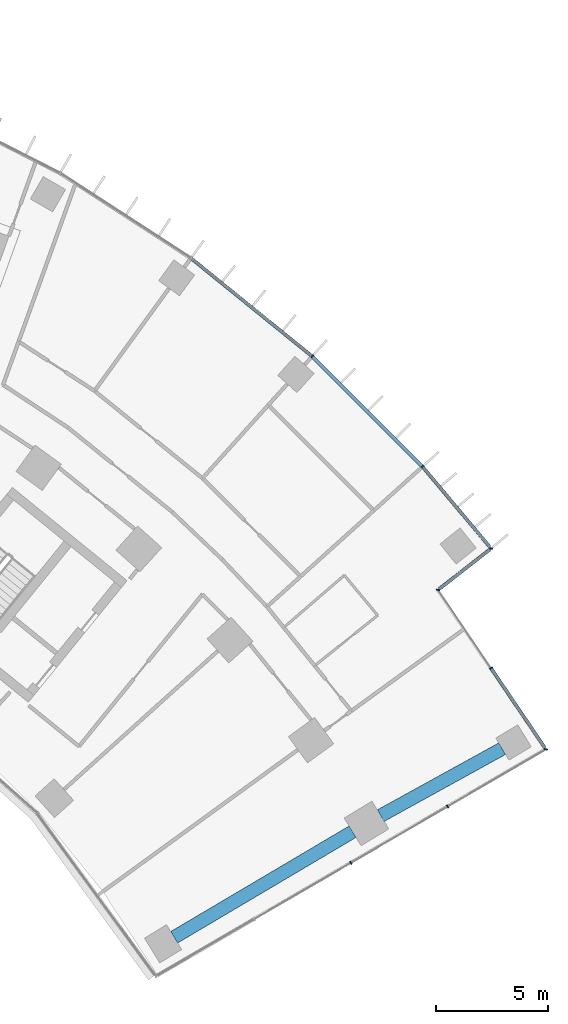
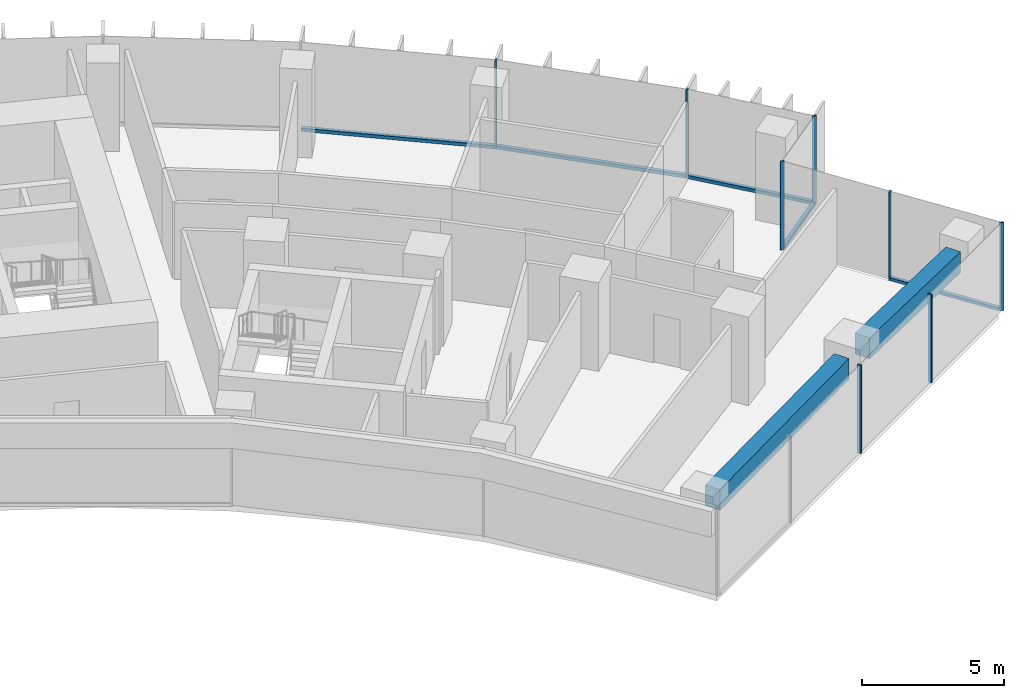
# One storey, part 10 of 22: 13 members, 2 beams, 4 elements without a shape of their own.
"""IFC4 building model written with IfcOpenShell, lengths in metres."""

from ifc_helpers import new_model, si_unit, direction, frame, origin, origin_2d, place, context, subcontext, project, spatial, rectangle, extrude, material, layer, layer_set, material_profile, profile_set, type_object, element, aggregate, save


model = new_model("IFC4")

# Units and contexts
model_context = context("Model", 3, precision=1e-05, world=origin(), true_north=direction((0.0, 1.0)))
body_context = subcontext(model_context, "Body", "Model", "MODEL_VIEW")
ifc_project = project(units=[si_unit("LENGTHUNIT", "METRE"), si_unit("AREAUNIT", "SQUARE_METRE"), si_unit("VOLUMEUNIT", "CUBIC_METRE"), si_unit("PLANEANGLEUNIT", "RADIAN"), si_unit("MASSUNIT", "GRAM", prefix="KILO")], contexts=[model_context])

# Site, building, storey
site_placement = place(None, origin())
site = spatial("IfcSite", under=ifc_project, at=site_placement, CompositionType="ELEMENT")
building_placement = place(site_placement, origin())
building = spatial("IfcBuilding", under=site, at=building_placement, Name="Stone Belt Terrace Tower", CompositionType="ELEMENT")
storey_placement = place(building_placement, frame((0.0, 0.0, 132.60009765625)))
storey = spatial("IfcBuildingStorey", under=building, at=storey_placement, Name="L32", CompositionType="ELEMENT", Elevation=132.60009765625)

# Curtain wall, members
ifc_material_1 = material(Name="Aluminium 6063-T6 anodised frame", Category="aluminium")
ifc_layer_1 = layer(ifc_material_1, 0.14990234375)
ifc_layer_set_1 = layer_set([ifc_layer_1], Name="CW-A unitised convex-face curtain wall")
curtain_wall_type_1 = type_object("IfcCurtainWallType", Name="CW-A unitised convex-face curtain wall", PredefinedType="NOTDEFINED", material=ifc_layer_set_1)
curtain_wall_1_placement = place(storey_placement, origin())
curtain_wall_1 = element("IfcCurtainWall", 1, at=curtain_wall_1_placement, inside=storey, type_object=curtain_wall_type_1, Name="CW-A convex face L32", PredefinedType="NOTDEFINED")
ifc_material_profile_1 = material_profile(ifc_material_1, rectangle(XDim=0.14990234375, YDim=0.06005859375, at=origin_2d()), Name="Aluminium 6063-T6 60x150")
ifc_profile_set_1 = profile_set([ifc_material_profile_1], Name="Aluminium 6063-T6 anodised frame")
member_type_1 = type_object("IfcMemberType", Name="CW-A mullion 60 x 150", PredefinedType="MULLION", material=ifc_profile_set_1)
member_1_placement = place(storey_placement, frame((52.539794921875, 40.89208984375, 0.0), z_axis=(0.0, 0.0, 1.0), x_axis=(-0.994464768622, 0.105070566623, 0.0)))
member_1 = element("IfcMember", 2, at=member_1_placement, type_object=member_type_1, Name="CW-A mullion 1", PredefinedType="MULLION", context=body_context, shape_type="SweptSolid", body=[
    extrude(rectangle(XDim=0.14990234375, YDim=0.06005859375, at=origin_2d()), origin(), (0.0, 0.0, 1.0), 3.7998046875),
])
member_2_placement = place(storey_placement, frame((49.474609375, 44.5478515625, 0.0), z_axis=(0.0, 0.0, 1.0), x_axis=(-0.737400080522, -0.675456231925, 0.0)))
member_2 = element("IfcMember", 3, at=member_2_placement, type_object=member_type_1, Name="CW-A mullion 2", PredefinedType="MULLION", context=body_context, shape_type="SweptSolid", body=[
    extrude(rectangle(XDim=0.14990234375, YDim=0.06005859375, at=origin_2d()), origin(), (0.0, 0.0, 1.0), 3.7998046875),
])
member_3_placement = place(storey_placement, frame((44.54736328125, 49.474853515625, 0.0), z_axis=(0.0, 0.0, 1.0), x_axis=(-0.669130606359, -0.743144825477, 0.0)))
member_3 = element("IfcMember", 4, at=member_3_placement, type_object=member_type_1, Name="CW-A mullion 3", PredefinedType="MULLION", context=body_context, shape_type="SweptSolid", body=[
    extrude(rectangle(XDim=0.14990234375, YDim=0.06005859375, at=origin_2d()), origin(), (0.0, 0.0, 1.0), 3.7998046875),
])
ifc_material_profile_2 = material_profile(ifc_material_1, rectangle(XDim=0.14990234375, YDim=0.139892578125, at=origin_2d()), Name="Aluminium 6063-T6 150x140")
ifc_profile_set_2 = profile_set([ifc_material_profile_2], Name="Aluminium 6063-T6 anodised frame")
member_type_2 = type_object("IfcMemberType", Name="CW-A transom 140 x 150", PredefinedType="USERDEFINED", material=ifc_profile_set_2)
member_4_placement = place(storey_placement, frame((52.49169921875, 40.949462890625, 0.06982421875), z_axis=(-0.642504178028, 0.766282181195, 0.0), x_axis=(-0.766282181195, -0.642504178028, 0.0)))
member_4 = element("IfcMember", 5, at=member_4_placement, type_object=member_type_2, Name="CW-A transom 1.1", ObjectType="TRANSOM", PredefinedType="USERDEFINED", context=body_context, shape_type="SweptSolid", body=[
    extrude(rectangle(XDim=0.14990234375, YDim=0.139892578125, at=origin_2d()), origin(), (0.0, 0.0, 1.0), 4.662841796875),
])
member_5_placement = place(storey_placement, frame((49.450927734375, 44.5712890625, 0.06982421875), z_axis=(-0.707106781187, 0.707106781187, 0.0), x_axis=(-0.707106781187, -0.707106781187, 0.0)))
member_5 = element("IfcMember", 6, at=member_5_placement, type_object=member_type_2, Name="CW-A transom 2.1", ObjectType="TRANSOM", PredefinedType="USERDEFINED", context=body_context, shape_type="SweptSolid", body=[
    extrude(rectangle(XDim=0.14990234375, YDim=0.139892578125, at=origin_2d()), origin(), (0.0, 0.0, 1.0), 6.90087890625),
])
member_6_placement = place(storey_placement, frame((44.52099609375, 49.496337890625, 0.06982421875), z_axis=(-0.777141048626, 0.629326457842, 0.0), x_axis=(-0.629326457842, -0.777141048626, 0.0)))
member_6 = element("IfcMember", 7, at=member_6_placement, type_object=member_type_2, Name="CW-A transom 3.1", ObjectType="TRANSOM", PredefinedType="USERDEFINED", context=body_context, shape_type="SweptSolid", body=[
    extrude(rectangle(XDim=0.14990234375, YDim=0.139892578125, at=origin_2d()), origin(), (0.0, 0.0, 1.0), 6.900634765625),
])
aggregate(curtain_wall_1, [member_1, member_2, member_3, member_4, member_5, member_6])

ifc_layer_2 = layer(ifc_material_1, 0.14990234375)
ifc_layer_set_2 = layer_set([ifc_layer_2], Name="CW-C stick curtain wall, horn ends and notches")
curtain_wall_type_2 = type_object("IfcCurtainWallType", Name="CW-C stick curtain wall, horn ends and notches", PredefinedType="NOTDEFINED", material=ifc_layer_set_2)
curtain_wall_2_placement = place(storey_placement, origin())
curtain_wall_2 = element("IfcCurtainWall", 8, at=curtain_wall_2_placement, inside=storey, type_object=curtain_wall_type_2, Name="CW-C end face L32", PredefinedType="NOTDEFINED")
ifc_material_profile_3 = material_profile(ifc_material_1, rectangle(XDim=0.14990234375, YDim=0.06005859375, at=origin_2d()), Name="Aluminium 6063-T6 60x150")
ifc_profile_set_3 = profile_set([ifc_material_profile_3], Name="Aluminium 6063-T6 anodised frame")
member_type_3 = type_object("IfcMemberType", Name="CW-C mullion 60 x 150", PredefinedType="MULLION", material=ifc_profile_set_3)
member_7_placement = place(storey_placement, frame((46.2744140625, 26.85009765625, 0.0), z_axis=(0.0, 0.0, 1.0), x_axis=(-0.503080901861, 0.864239322284, 0.0)))
member_7 = element("IfcMember", 9, at=member_7_placement, type_object=member_type_3, Name="CW-C mullion 3", PredefinedType="MULLION", context=body_context, shape_type="SweptSolid", body=[
    extrude(rectangle(XDim=0.14990234375, YDim=0.06005859375, at=origin_2d()), origin(), (0.0, 0.0, 1.0), 3.7998046875),
])
member_8_placement = place(storey_placement, frame((50.595703125, 29.365478515625, 0.0), z_axis=(0.0, 0.0, 1.0), x_axis=(-0.503080901861, 0.864239322284, 0.0)))
member_8 = element("IfcMember", 10, at=member_8_placement, type_object=member_type_3, Name="CW-C mullion 4", PredefinedType="MULLION", context=body_context, shape_type="SweptSolid", body=[
    extrude(rectangle(XDim=0.14990234375, YDim=0.06005859375, at=origin_2d()), origin(), (0.0, 0.0, 1.0), 3.7998046875),
])
aggregate(curtain_wall_2, [member_7, member_8])

curtain_wall_3_placement = place(storey_placement, origin())
curtain_wall_3 = element("IfcCurtainWall", 11, at=curtain_wall_3_placement, inside=storey, type_object=curtain_wall_type_2, Name="CW-C notch face L32", PredefinedType="NOTDEFINED")
member_9_placement = place(storey_placement, frame((54.986328125, 31.921142578125, 0.0), z_axis=(0.0, 0.0, 1.0), x_axis=(-0.974926991266, 0.222524968715, 0.0)))
member_9 = element("IfcMember", 12, at=member_9_placement, type_object=member_type_3, Name="CW-C mullion 1", PredefinedType="MULLION", context=body_context, shape_type="SweptSolid", body=[
    extrude(rectangle(XDim=0.14990234375, YDim=0.06005859375, at=origin_2d()), origin(), (0.0, 0.0, 1.0), 3.7998046875),
])
member_10_placement = place(storey_placement, frame((52.53515625, 35.5439453125, 0.0), z_axis=(0.0, 0.0, 1.0), x_axis=(-0.828244257471, -0.560367245622, 0.0)))
member_10 = element("IfcMember", 13, at=member_10_placement, type_object=member_type_3, Name="CW-C mullion 2", PredefinedType="MULLION", context=body_context, shape_type="SweptSolid", body=[
    extrude(rectangle(XDim=0.14990234375, YDim=0.06005859375, at=origin_2d()), origin(), (0.0, 0.0, 1.0), 3.7998046875),
])

# Curtain wall, member
curtain_wall_4_placement = place(storey_placement, origin())
curtain_wall_4 = element("IfcCurtainWall", 14, at=curtain_wall_4_placement, inside=storey, type_object=curtain_wall_type_2, Name="CW-C notch face L32", PredefinedType="NOTDEFINED")
member_11_placement = place(storey_placement, frame((50.16845703125, 39.0419921875, 0.0), z_axis=(0.0, 0.0, 1.0), x_axis=(-0.987742281651, 0.156093513764, 0.0)))
member_11 = element("IfcMember", 15, at=member_11_placement, type_object=member_type_3, Name="CW-C mullion 1", PredefinedType="MULLION", context=body_context, shape_type="SweptSolid", body=[
    extrude(rectangle(XDim=0.14990234375, YDim=0.06005859375, at=origin_2d()), origin(), (0.0, 0.0, 1.0), 3.7998046875),
])

# Member
ifc_material_profile_4 = material_profile(ifc_material_1, rectangle(XDim=0.14990234375, YDim=0.1201171875, at=origin_2d()), Name="Aluminium 6063-T6 150x120")
ifc_profile_set_4 = profile_set([ifc_material_profile_4], Name="Aluminium 6063-T6 anodised frame")
member_type_4 = type_object("IfcMemberType", Name="CW-C transom 120 x 150", PredefinedType="USERDEFINED", material=ifc_profile_set_4)
member_12_placement = place(storey_placement, frame((54.944091796875, 31.983642578125, 0.059814453125), z_axis=(-0.560388995766, 0.828229541507, 0.0), x_axis=(-0.828229541507, -0.560388995766, 0.0)))
member_12 = element("IfcMember", 16, at=member_12_placement, type_object=member_type_4, Name="CW-C transom 1.1", ObjectType="TRANSOM", PredefinedType="USERDEFINED", context=body_context, shape_type="SweptSolid", body=[
    extrude(rectangle(XDim=0.14990234375, YDim=0.1201171875, at=origin_2d()), origin(), (0.0, 0.0, 1.0), 4.2685546875),
])

aggregate(curtain_wall_3, [member_9, member_10, member_12])

member_13_placement = place(storey_placement, frame((50.22607421875, 39.087158203125, 0.059814453125), z_axis=(0.788505618167, 0.615027552325, 0.0), x_axis=(-0.615027552325, 0.788505618167, 0.0)))
member_13 = element("IfcMember", 17, at=member_13_placement, type_object=member_type_4, Name="CW-C transom 1.1", ObjectType="TRANSOM", PredefinedType="USERDEFINED", context=body_context, shape_type="SweptSolid", body=[
    extrude(rectangle(XDim=0.14990234375, YDim=0.1201171875, at=origin_2d()), origin(), (0.0, 0.0, 1.0), 2.859619140625),
])

aggregate(curtain_wall_4, [member_11, member_13])

# Beams
ifc_material_2 = material(Name="Concrete B60", Category="concrete")
ifc_material_profile_5 = material_profile(ifc_material_2, rectangle(XDim=0.60009765625, YDim=0.89990234375, at=origin_2d()), Name="RC 600x900")
ifc_profile_set_5 = profile_set([ifc_material_profile_5], Name="Concrete B60")
beam_type = type_object("IfcBeamType", Name="Edge beam RC 600x900 B60", PredefinedType="SPANDREL", material=ifc_profile_set_5)
beam_1_placement = place(storey_placement, frame((38.3828125, 23.52783203125, 2.849853515625), z_axis=(0.860646513691, 0.509202885372, 0.0), x_axis=(-0.509202885372, 0.860646513691, 0.0)))
element("IfcBeam", 18, at=beam_1_placement, inside=storey, type_object=beam_type, Name="Edge beam L32 B P to Q", PredefinedType="SPANDREL", context=body_context, shape_type="SweptSolid", body=[
    extrude(rectangle(XDim=0.60009765625, YDim=0.89990234375, at=origin_2d()), origin(), (0.0, 0.0, 1.0), 9.255859375),
])
beam_2_placement = place(storey_placement, frame((47.6083984375, 28.960693359375, 2.849853515625), z_axis=(0.875764462498, 0.482738652094, 0.0), x_axis=(-0.482738652094, 0.875764462498, 0.0)))
element("IfcBeam", 19, at=beam_2_placement, inside=storey, type_object=beam_type, Name="Edge beam L32 B Q to R", PredefinedType="SPANDREL", context=body_context, shape_type="SweptSolid", body=[
    extrude(rectangle(XDim=0.60009765625, YDim=0.89990234375, at=origin_2d()), origin(), (0.0, 0.0, 1.0), 6.19384765625),
])

save(model, "model.ifc")
